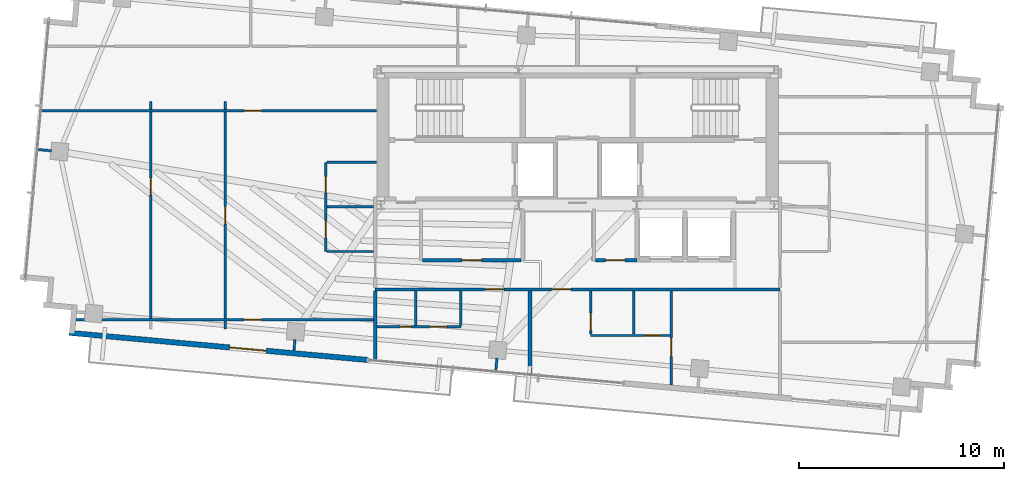
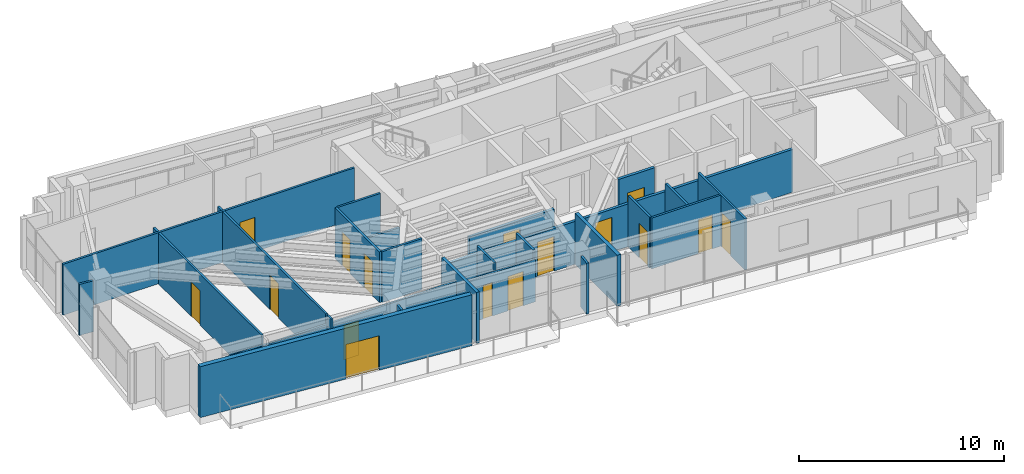
# One storey, part 16 of 22: 27 walls, 16 doors, 16 openings.
"""IFC4 building model written with IfcOpenShell, lengths in metres."""

import ifcopenshell
import ifcopenshell.guid

model = None  # the IFC model being written
_history = None  # IfcOwnerHistory: only IFC2X3 demands one
_inside = {}  # id of a spatial element -> (the spatial element, [elements in it])
_under = {}  # id of a project, library or spatial element -> (it, [spatial elements below it])
_declared = {}  # id of a project -> (the project, [libraries it declares])
_typed = {}  # id of a type object -> (the type object, [elements of that type])
_made_of = {}  # id of a material, layer set ... -> (it, [elements and type objects made of it])


def new_model(schema):
    """Start an empty IFC model of exactly this schema.

    Asked for "IFC4X3", IfcOpenShell would pick the latest addendum, in which some entities
    have other attributes; the version numbers below select the first issue.
    IFC2X3 requires an IfcOwnerHistory on every rooted entity: one is made here for all.
    """
    global model, _history
    if schema == "IFC4X3":
        model = ifcopenshell.file(schema_version=(4, 3, 0, 0))
    else:
        model = ifcopenshell.file(schema=schema)
    _inside.clear()
    _under.clear()
    _declared.clear()
    _typed.clear()
    _made_of.clear()
    _history = None
    if model.schema == "IFC2X3":
        org = make("IfcOrganization", Name="unknown")
        user = make(
            "IfcPersonAndOrganization",
            ThePerson=make("IfcPerson", FamilyName="unknown"),
            TheOrganization=org,
        )
        app = make(
            "IfcApplication",
            ApplicationDeveloper=org,
            Version="unknown",
            ApplicationFullName="unknown",
            ApplicationIdentifier="unknown",
        )
        _history = make(
            "IfcOwnerHistory",
            OwningUser=user,
            OwningApplication=app,
            ChangeAction="ADDED",
            CreationDate=0,
        )
    return model


def make(cls, **values):
    """One entity of the class cls with the attributes given. An attribute that is None is left unset."""
    return model.create_entity(
        cls, **{name: value for name, value in values.items() if value is not None}
    )


def rooted(cls, **values):
    """An entity with a GlobalId (a new one), such as an element, a storey or a relation."""
    return make(cls, GlobalId=ifcopenshell.guid.new(), OwnerHistory=_history, **values)


def si_unit(unit_type, name, prefix=None):
    """IfcSIUnit, for example si_unit("LENGTHUNIT", "METRE", prefix="MILLI")."""
    return make("IfcSIUnit", UnitType=unit_type, Prefix=prefix, Name=name)


def assignment(units):
    """IfcUnitAssignment: the units of a project."""
    return None if units is None else make("IfcUnitAssignment", Units=units)


def point(xyz):
    """IfcCartesianPoint."""
    return None if xyz is None else make("IfcCartesianPoint", Coordinates=xyz)


def direction(xyz):
    """IfcDirection."""
    return None if xyz is None else make("IfcDirection", DirectionRatios=xyz)


def frame(location, z_axis=None, x_axis=None):
    """IfcAxis2Placement3D, a coordinate frame: its origin and axes. An axis left out is left unset."""
    return make(
        "IfcAxis2Placement3D",
        Location=point(location),
        Axis=direction(z_axis),
        RefDirection=direction(x_axis),
    )


def frame_2d(location, x_axis=None):
    """IfcAxis2Placement2D, a coordinate frame in the plane: its origin and x axis."""
    return make(
        "IfcAxis2Placement2D", Location=point(location), RefDirection=direction(x_axis)
    )


def origin():
    """The frame at (0, 0, 0) with its axes left unset."""
    return frame((0.0, 0.0, 0.0))


def place(relative_to, where):
    """IfcLocalPlacement: puts the frame where relative to a parent placement (None: the world)."""
    return make(
        "IfcLocalPlacement", PlacementRelTo=relative_to, RelativePlacement=where
    )


def context(
    kind, dimensions, precision=None, world=None, true_north=None, identifier=None
):
    """IfcGeometricRepresentationContext, for example the 3D "Model" context."""
    return make(
        "IfcGeometricRepresentationContext",
        ContextIdentifier=identifier,
        ContextType=kind,
        CoordinateSpaceDimension=dimensions,
        Precision=precision,
        WorldCoordinateSystem=world,
        TrueNorth=true_north,
    )


def subcontext(parent, identifier, kind, view, scale=None):
    """IfcGeometricRepresentationSubContext, for example "Body" below "Model"."""
    return make(
        "IfcGeometricRepresentationSubContext",
        ContextIdentifier=identifier,
        ContextType=kind,
        ParentContext=parent,
        TargetScale=scale,
        TargetView=view,
    )


def project(units=None, contexts=None):
    """IfcProject with its units and contexts."""
    return rooted(
        "IfcProject",
        Name="project",
        RepresentationContexts=contexts,
        UnitsInContext=assignment(units),
    )


def spatial(cls, under=None, at=None, **own):
    """A site, building, storey or space (cls), placed at a placement, below another one or the project."""
    s = rooted(cls, ObjectPlacement=at, **own)
    if under is not None:
        _under.setdefault(under.id(), (under, []))[1].append(s)
    return s


def profile(cls, at=None, kind="AREA", **sizes):
    """A parametric profile (cls). Its sizes go by their IFC names, for example OverallWidth=200.0."""
    return make(cls, ProfileType=kind, Position=at, **sizes)


def rectangle(**sizes):
    """IfcRectangleProfileDef."""
    return profile("IfcRectangleProfileDef", **sizes)


def extrude(swept, where, along, depth):
    """IfcExtrudedAreaSolid: the profile swept, set in the frame where, extruded along a direction by depth."""
    return make(
        "IfcExtrudedAreaSolid",
        SweptArea=swept,
        Position=where,
        ExtrudedDirection=direction(along),
        Depth=depth,
    )


def shape(context_of_items, identifier, shape_type, items):
    """IfcShapeRepresentation: the items that make up one representation, for example the "Body"."""
    return make(
        "IfcShapeRepresentation",
        ContextOfItems=context_of_items,
        RepresentationIdentifier=identifier,
        RepresentationType=shape_type,
        Items=items,
    )


def source(mapping_origin, context_of_items, identifier, shape_type, items):
    """IfcRepresentationMap: a shape defined once, which mapped items show again and again."""
    return make(
        "IfcRepresentationMap",
        MappingOrigin=mapping_origin,
        MappedRepresentation=shape(context_of_items, identifier, shape_type, items),
    )


def transform(
    local_origin,
    x_axis=None,
    y_axis=None,
    z_axis=None,
    scale=None,
    scale2=None,
    scale3=None,
    uniform=True,
):
    """IfcCartesianTransformationOperator3D, or its non-uniform kind. x_axis, y_axis, z_axis: its Axis1, 2, 3."""
    if uniform:
        return make(
            "IfcCartesianTransformationOperator3D",
            Axis1=direction(x_axis),
            Axis2=direction(y_axis),
            LocalOrigin=point(local_origin),
            Scale=scale,
            Axis3=direction(z_axis),
        )
    return make(
        "IfcCartesianTransformationOperator3DnonUniform",
        Axis1=direction(x_axis),
        Axis2=direction(y_axis),
        LocalOrigin=point(local_origin),
        Scale=scale,
        Axis3=direction(z_axis),
        Scale2=scale2,
        Scale3=scale3,
    )


def mapped(mapping_source, mapping_target):
    """IfcMappedItem: shows the shape of a source again, moved by a transform."""
    return make(
        "IfcMappedItem", MappingSource=mapping_source, MappingTarget=mapping_target
    )


def material(Name=None, Category=None):
    """IfcMaterial."""
    return make("IfcMaterial", Name=Name, Category=Category)


def layer(
    of_material, thickness, ventilated=None, Name=None, Category=None, Priority=None
):
    """IfcMaterialLayer: one layer of a wall or slab, of a material (None: an air gap)."""
    return make(
        "IfcMaterialLayer",
        Material=of_material,
        LayerThickness=thickness,
        IsVentilated=ventilated,
        Name=Name,
        Category=Category,
        Priority=Priority,
    )


def layer_set(layers, Name=None):
    """IfcMaterialLayerSet."""
    return make("IfcMaterialLayerSet", MaterialLayers=layers, LayerSetName=Name)


def made_of(thing, what):
    """Note that an element or type object is made of a material, layer set ...; save() writes the relation."""
    if what is not None:
        _made_of.setdefault(what.id(), (what, []))[1].append(thing)
    return thing


def type_object(cls, material=None, **own):
    """A type object (cls), such as IfcWallType, which elements share."""
    return made_of(rooted(cls, **own), material)


def type_shapes(of_type, sources):
    """Give a type object the sources (RepresentationMaps) that its elements show as mapped items."""
    of_type.RepresentationMaps = sources


def element(
    cls,
    number,
    at=None,
    inside=None,
    cuts=None,
    type_object=None,
    material=None,
    context=None,
    identifier="Body",
    shape_type=None,
    held_by="IfcProductDefinitionShape",
    body=None,
    shapes=None,
    **own,
):
    """One element of the class cls, such as IfcWall. Its Tag is "e" and its number.

    at: its placement. inside: the storey or other place that contains it. cuts: it is an
    opening in that element (IfcRelVoidsElement). A single representation is given by context,
    identifier, shape_type and body (its items); several are given by shapes. held_by: the class
    of the entity that holds the representations. save() writes the other relations.
    """
    e = rooted(cls, Tag="e%d" % number, ObjectPlacement=at, **own)
    if body is not None:
        shapes = [shape(context, identifier, shape_type, body)]
    if shapes is not None:
        e.Representation = make(held_by, Representations=shapes)
    if inside is not None:
        _inside.setdefault(inside.id(), (inside, []))[1].append(e)
    if cuts is not None:
        rooted(
            "IfcRelVoidsElement", RelatingBuildingElement=cuts, RelatedOpeningElement=e
        )
    if type_object is not None:
        _typed.setdefault(type_object.id(), (type_object, []))[1].append(e)
    return made_of(e, material)


def fill(opening, filler):
    """IfcRelFillsElement: the door or window that sits in an opening."""
    return rooted(
        "IfcRelFillsElement",
        RelatingOpeningElement=opening,
        RelatedBuildingElement=filler,
    )


def aggregate(whole, parts):
    """IfcRelAggregates: a whole, such as a stair, and the parts it consists of."""
    return rooted("IfcRelAggregates", RelatingObject=whole, RelatedObjects=parts)


def save(model, path):
    """Write the relations noted so far, then the file.

    IfcRelAggregates (storeys below a building ...), IfcRelContainedInSpatialStructure (elements
    in a storey), IfcRelDefinesByType, IfcRelAssociatesMaterial and IfcRelDeclares: one each for
    every whole, place, type object, material and project.
    """
    for whole, parts in _under.values():
        aggregate(whole, parts)
    for where, things in _inside.values():
        rooted(
            "IfcRelContainedInSpatialStructure",
            RelatedElements=things,
            RelatingStructure=where,
        )
    for kind, things in _typed.values():
        rooted("IfcRelDefinesByType", RelatedObjects=things, RelatingType=kind)
    for what, things in _made_of.values():
        rooted("IfcRelAssociatesMaterial", RelatedObjects=things, RelatingMaterial=what)
    for by, libraries in _declared.values():
        rooted("IfcRelDeclares", RelatingContext=by, RelatedDefinitions=libraries)
    model.write(path)


model = new_model("IFC4")

# Units and contexts
model_context = context("Model", 3, precision=1e-05, world=origin(), true_north=direction((0.0, 1.0)))
body_context = subcontext(model_context, "Body", "Model", "MODEL_VIEW")
ifc_project = project(units=[si_unit("LENGTHUNIT", "METRE"), si_unit("AREAUNIT", "SQUARE_METRE"), si_unit("VOLUMEUNIT", "CUBIC_METRE"), si_unit("PLANEANGLEUNIT", "RADIAN"), si_unit("MASSUNIT", "GRAM", prefix="KILO")], contexts=[model_context])

# Site, building, storey
site_placement = place(None, origin())
site = spatial("IfcSite", under=ifc_project, at=site_placement, CompositionType="ELEMENT")
building_placement = place(site_placement, origin())
building = spatial("IfcBuilding", under=site, at=building_placement, Name="Astriad Promenade Condominiums", CompositionType="ELEMENT")
storey_placement = place(building_placement, frame((0.0, 0.0, 216.60009765625)))
storey = spatial("IfcBuildingStorey", under=building, at=storey_placement, Name="L62", CompositionType="ELEMENT", Elevation=216.60009765625)

# Wall, openings, doors
ifc_material_1 = material(Name="Fire-Rated Gypsum Partition")
ifc_layer_1 = layer(ifc_material_1, 0.159912109375)
ifc_layer_set_1 = layer_set([ifc_layer_1], Name="Fire-Rated Gypsum Partition")
wall_type_1 = type_object("IfcWallType", Name="WALL-CORR-160", PredefinedType="PARTITIONING", material=ifc_layer_set_1)
wall_1_placement = place(storey_placement, frame((26.1201171875, 13.280029296875, 0.0), z_axis=(0.0, 0.0, 1.0), x_axis=(1.0, 0.0, 0.0)))
wall_1 = element("IfcWall", 1, at=wall_1_placement, inside=storey, type_object=wall_type_1, Name="PT-COR-S-L62", PredefinedType="PARTITIONING", context=body_context, shape_type="SweptSolid", body=[
    extrude(rectangle(XDim=19.759765625, YDim=0.159912109375, at=frame_2d((9.8798828125, 0.0))), origin(), (0.0, 0.0, 1.0), 2.5498046875),
])
opening_1_placement = place(wall_1_placement, frame((5.344970703125, 0.0, 0.0)))
opening_1 = element("IfcOpeningElement", 2, at=opening_1_placement, cuts=wall_1, Name="Opening FD60-APT-095", PredefinedType="OPENING", context=body_context, shape_type="SweptSolid", body=[
    extrude(rectangle(XDim=0.949951171875, YDim=2.06005859375, at=frame_2d((0.47509765625, 1.030029296875))), frame((0.0, 0.08984375, 0.0), z_axis=(0.0, -1.0, 0.0), x_axis=(1.0, 0.0, 0.0)), (0.0, 0.0, 1.0), 0.179931640625),
])
opening_2_placement = place(wall_1_placement, frame((8.612060546875, 0.0, 0.0)))
opening_2 = element("IfcOpeningElement", 3, at=opening_2_placement, cuts=wall_1, Name="Opening FD60-APT-095", PredefinedType="OPENING", context=body_context, shape_type="SweptSolid", body=[
    extrude(rectangle(XDim=0.949951171875, YDim=2.06005859375, at=frame_2d((0.47509765625, 1.030029296875))), frame((0.0, 0.08984375, 0.0), z_axis=(0.0, -1.0, 0.0), x_axis=(1.0, 0.0, 0.0)), (0.0, 0.0, 1.0), 0.179931640625),
])
ifc_material_2 = material(Name="Solid-Core Acoustic Timber Residence Entry Door", Category="wood")
door_type_1 = type_object("IfcDoorType", Name="FD60-APT-095", OperationType="NOTDEFINED", PredefinedType="DOOR", material=ifc_material_2)
shared_shape_1 = source(origin(), body_context, "Body", "SweptSolid", [
    extrude(rectangle(XDim=0.949951171875, YDim=2.06005859375, at=frame_2d((0.47509765625, 1.030029296875))), frame((0.0, 0.02490234375, 0.0), z_axis=(0.0, -1.0, 0.0), x_axis=(1.0, 0.0, 0.0)), (0.0, 0.0, 1.0), 0.050048828125),
])
type_shapes(door_type_1, [shared_shape_1])
door_1_placement = place(opening_1_placement, origin())
door_1 = element("IfcDoor", 4, at=door_1_placement, inside=storey, type_object=door_type_1, Name="D-ENT-L62-S1", OperationType="SINGLE_SWING_LEFT", OverallHeight=2.06005859375, OverallWidth=0.949951171875, PredefinedType="DOOR", context=body_context, shape_type="MappedRepresentation", body=[
    mapped(shared_shape_1, transform((0.0, 0.0, 0.0), scale=1.0)),
])
fill(opening_1, door_1)
door_2_placement = place(opening_2_placement, origin())
door_2 = element("IfcDoor", 5, at=door_2_placement, inside=storey, type_object=door_type_1, Name="D-ENT-L62-S2", OperationType="SINGLE_SWING_RIGHT", OverallHeight=2.06005859375, OverallWidth=0.949951171875, PredefinedType="DOOR", context=body_context, shape_type="MappedRepresentation", body=[
    mapped(shared_shape_1, transform((0.0, 0.0, 0.0), scale=1.0)),
])
fill(opening_2, door_2)

# Wall
wall_2_placement = place(storey_placement, frame((26.1201171875, 9.75146484375, 0.0), z_axis=(0.0, 0.0, 1.0), x_axis=(0.0, 1.0, 0.0)))
element("IfcWall", 6, at=wall_2_placement, inside=storey, type_object=wall_type_1, Name="PT-COR-W-L62", PredefinedType="PARTITIONING", context=body_context, shape_type="SweptSolid", body=[
    extrude(rectangle(XDim=3.446533203125, YDim=0.159912109375, at=frame_2d((1.72314453125, 0.0))), origin(), (0.0, 0.0, 1.0), 3.039794921875),
])

# Wall, opening, door
wall_3_placement = place(storey_placement, frame((28.44189453125, 14.699951171875, 0.0), z_axis=(0.0, 0.0, 1.0), x_axis=(1.0, 0.0, 0.0)))
wall_3 = element("IfcWall", 7, at=wall_3_placement, inside=storey, type_object=wall_type_1, Name="PT-Z3REC-S-L62", PredefinedType="PARTITIONING", context=body_context, shape_type="SweptSolid", body=[
    extrude(rectangle(XDim=4.796142578125, YDim=0.159912109375, at=frame_2d((2.39794921875, 0.0))), origin(), (0.0, 0.0, 1.0), 2.5498046875),
])
opening_3_placement = place(wall_3_placement, frame((1.923095703125, 0.0, 0.0)))
opening_3 = element("IfcOpeningElement", 8, at=opening_3_placement, cuts=wall_3, Name="Opening FD60-APT-095", PredefinedType="OPENING", context=body_context, shape_type="SweptSolid", body=[
    extrude(rectangle(XDim=0.949951171875, YDim=2.06005859375, at=frame_2d((0.47509765625, 1.030029296875))), frame((0.0, 0.08984375, 0.0), z_axis=(0.0, -1.0, 0.0), x_axis=(1.0, 0.0, 0.0)), (0.0, 0.0, 1.0), 0.179931640625),
])
door_3_placement = place(opening_3_placement, origin())
door_3 = element("IfcDoor", 9, at=door_3_placement, inside=storey, type_object=door_type_1, Name="D-Z3R-L62", OperationType="SINGLE_SWING_LEFT", OverallHeight=2.06005859375, OverallWidth=0.949951171875, PredefinedType="DOOR", context=body_context, shape_type="MappedRepresentation", body=[
    mapped(shared_shape_1, transform((0.0, 0.0, 0.0), scale=1.0)),
])
fill(opening_3, door_3)

wall_4_placement = place(storey_placement, frame((36.882080078125, 14.699951171875, 0.0), z_axis=(0.0, 0.0, 1.0), x_axis=(1.0, 0.0, 0.0)))
wall_4 = element("IfcWall", 10, at=wall_4_placement, inside=storey, type_object=wall_type_1, Name="PT-Z3R2-S-L62", PredefinedType="PARTITIONING", context=body_context, shape_type="SweptSolid", body=[
    extrude(rectangle(XDim=2.017822265625, YDim=0.159912109375, at=frame_2d((1.0087890625, 0.0))), origin(), (0.0, 0.0, 1.0), 3.039794921875),
])
opening_4_placement = place(wall_4_placement, frame((0.48291015625, 0.0, 0.0)))
opening_4 = element("IfcOpeningElement", 11, at=opening_4_placement, cuts=wall_4, Name="Opening FD60-APT-095", PredefinedType="OPENING", context=body_context, shape_type="SweptSolid", body=[
    extrude(rectangle(XDim=0.949951171875, YDim=2.06005859375, at=frame_2d((0.47509765625, 1.030029296875))), frame((0.0, 0.08984375, 0.0), z_axis=(0.0, -1.0, 0.0), x_axis=(1.0, 0.0, 0.0)), (0.0, 0.0, 1.0), 0.179931640625),
])
door_4_placement = place(opening_4_placement, origin())
door_4 = element("IfcDoor", 12, at=door_4_placement, inside=storey, type_object=door_type_1, Name="D-Z3N-L62", OperationType="SINGLE_SWING_RIGHT", OverallHeight=2.06005859375, OverallWidth=0.949951171875, PredefinedType="DOOR", context=body_context, shape_type="MappedRepresentation", body=[
    mapped(shared_shape_1, transform((0.0, 0.0, 0.0), scale=1.0)),
])
fill(opening_4, door_4)

# Wall
ifc_material_3 = material(Name="Acoustic Double-Stud Gypsum Partition")
ifc_layer_2 = layer(ifc_material_3, 0.199951171875)
ifc_layer_set_2 = layer_set([ifc_layer_2], Name="Acoustic Double-Stud Gypsum Partition")
wall_type_2 = type_object("IfcWallType", Name="WALL-DEMISING-200", PredefinedType="PARTITIONING", material=ifc_layer_set_2)
wall_5_placement = place(storey_placement, frame((33.678955078125, 9.0634765625, 0.0), z_axis=(0.0, 0.0, 1.0), x_axis=(0.0, 1.0, 0.0)))
element("IfcWall", 13, at=wall_5_placement, inside=storey, type_object=wall_type_2, Name="PT-DEM-S1-L62", PredefinedType="PARTITIONING", context=body_context, shape_type="SweptSolid", body=[
    extrude(rectangle(XDim=4.134521484375, YDim=0.199951171875, at=frame_2d((2.0673828125, 0.0))), origin(), (0.0, 0.0, 1.0), 3.039794921875),
])

# Wall, opening, door
ifc_material_4 = material(Name="Precast concrete C50/60", Category="concrete")
ifc_layer_3 = layer(ifc_material_4, 0.260009765625)
ifc_layer_set_3 = layer_set([ifc_layer_3], Name="Precast concrete C50/60")
wall_type_3 = type_object("IfcWallType", Name="WALL-EXT-TWR-260", PredefinedType="STANDARD", material=ifc_layer_set_3)
wall_6_placement = place(storey_placement, frame((25.760986328125, 9.83447265625, 0.0), z_axis=(0.0, 0.0, 1.0), x_axis=(-0.995884584572, 0.090630536861, 0.0)))
wall_6 = element("IfcWall", 14, at=wall_6_placement, inside=storey, type_object=wall_type_3, Name="W-EXT-L62-S2", PredefinedType="STANDARD", context=body_context, shape_type="SweptSolid", body=[
    extrude(rectangle(XDim=14.630126953125, YDim=0.260009765625, at=frame_2d((7.31494140625, 0.0))), origin(), (0.0, 0.0, 1.0), 3.039794921875),
])
opening_5_placement = place(wall_6_placement, frame((4.969970703125, 0.0, 0.0)))
opening_5 = element("IfcOpeningElement", 15, at=opening_5_placement, cuts=wall_6, Name="Opening BD-1822-SLD", PredefinedType="OPENING", context=body_context, shape_type="SweptSolid", body=[
    extrude(rectangle(XDim=1.800048828125, YDim=2.06005859375, at=frame_2d((0.89990234375, 1.030029296875))), frame((0.0, 0.139892578125, 0.0), z_axis=(0.0, -1.0, 0.0), x_axis=(1.0, 0.0, 0.0)), (0.0, 0.0, 1.0), 0.280029296875),
])
ifc_material_5 = material(Name="Thermally Broken Aluminium Sliding Balcony Door", Category="aluminium")
door_type_2 = type_object("IfcDoorType", Name="BD-1822-SLD", OperationType="NOTDEFINED", PredefinedType="DOOR", material=ifc_material_5)
shared_shape_2 = source(origin(), body_context, "Body", "SweptSolid", [
    extrude(rectangle(XDim=1.800048828125, YDim=2.06005859375, at=frame_2d((0.89990234375, 1.030029296875))), frame((0.0, 0.02490234375, 0.0), z_axis=(0.0, -1.0, 0.0), x_axis=(1.0, 0.0, 0.0)), (0.0, 0.0, 1.0), 0.050048828125),
])
type_shapes(door_type_2, [shared_shape_2])
door_5_placement = place(opening_5_placement, origin())
door_5 = element("IfcDoor", 16, at=door_5_placement, inside=storey, type_object=door_type_2, Name="BD-L62-SW", OperationType="SLIDING_TO_LEFT", OverallHeight=2.06005859375, OverallWidth=1.800048828125, PredefinedType="DOOR", context=body_context, shape_type="MappedRepresentation", body=[
    mapped(shared_shape_2, transform((0.0, 0.0, 0.0), scale=1.0)),
])
fill(opening_5, door_5)

# Wall, openings, doors
ifc_material_6 = material(Name="Acoustic Metal-Stud Gypsum Partition")
ifc_layer_4 = layer(ifc_material_6, 0.1201171875)
ifc_layer_set_4 = layer_set([ifc_layer_4], Name="Acoustic Metal-Stud Gypsum Partition")
wall_type_4 = type_object("IfcWallType", Name="WALL-PART-120", PredefinedType="PARTITIONING", material=ifc_layer_set_4)
wall_7_placement = place(storey_placement, frame((26.201904296875, 11.455078125, 0.0), z_axis=(0.0, 0.0, 1.0), x_axis=(1.0, 0.0, 0.0)))
wall_7 = element("IfcWall", 17, at=wall_7_placement, inside=storey, type_object=wall_type_4, Name="PT-L62-S1-PS", PredefinedType="PARTITIONING", context=body_context, shape_type="SweptSolid", body=[
    extrude(rectangle(XDim=4.09814453125, YDim=0.1201171875, at=frame_2d((2.049072265625, 0.0))), origin(), (0.0, 0.0, 1.0), 2.5498046875),
])
opening_6_placement = place(wall_7_placement, frame((1.139892578125, 0.0, 0.0)))
opening_6 = element("IfcOpeningElement", 18, at=opening_6_placement, cuts=wall_7, Name="Opening D-AC-055", PredefinedType="OPENING", context=body_context, shape_type="SweptSolid", body=[
    extrude(rectangle(XDim=0.550048828125, YDim=2.0, at=frame_2d((0.27490234375, 1.0))), frame((0.0, 0.070068359375, 0.0), z_axis=(0.0, -1.0, 0.0), x_axis=(1.0, 0.0, 0.0)), (0.0, 0.0, 1.0), 0.14013671875),
])
opening_7_placement = place(wall_7_placement, frame((2.572998046875, 0.0, 0.0)))
opening_7 = element("IfcOpeningElement", 19, at=opening_7_placement, cuts=wall_7, Name="Opening D-INT-085", PredefinedType="OPENING", context=body_context, shape_type="SweptSolid", body=[
    extrude(rectangle(XDim=0.85009765625, YDim=2.050048828125, at=frame_2d((0.425048828125, 1.02490234375))), frame((0.0, 0.070068359375, 0.0), z_axis=(0.0, -1.0, 0.0), x_axis=(1.0, 0.0, 0.0)), (0.0, 0.0, 1.0), 0.14013671875),
])
ifc_material_7 = material(Name="Painted Solid-Core Timber Room Door", Category="wood")
door_type_3 = type_object("IfcDoorType", Name="D-INT-085", OperationType="NOTDEFINED", PredefinedType="DOOR", material=ifc_material_7)
shared_shape_3 = source(origin(), body_context, "Body", "SweptSolid", [
    extrude(rectangle(XDim=0.85009765625, YDim=2.050048828125, at=frame_2d((0.425048828125, 1.02490234375))), frame((0.0, 0.02490234375, 0.0), z_axis=(0.0, -1.0, 0.0), x_axis=(1.0, 0.0, 0.0)), (0.0, 0.0, 1.0), 0.050048828125),
])
type_shapes(door_type_3, [shared_shape_3])
door_6_placement = place(opening_7_placement, origin())
door_6 = element("IfcDoor", 20, at=door_6_placement, inside=storey, type_object=door_type_3, Name="D-KIT-L62-S1", OperationType="SINGLE_SWING_LEFT", OverallHeight=2.050048828125, OverallWidth=0.85009765625, PredefinedType="DOOR", context=body_context, shape_type="MappedRepresentation", body=[
    mapped(shared_shape_3, transform((0.0, 0.0, 0.0), scale=1.0)),
])
fill(opening_7, door_6)
ifc_material_8 = material(Name="Painted Timber Access Door", Category="wood")
door_type_4 = type_object("IfcDoorType", Name="D-AC-055", OperationType="NOTDEFINED", PredefinedType="DOOR", material=ifc_material_8)
shared_shape_4 = source(origin(), body_context, "Body", "SweptSolid", [
    extrude(rectangle(XDim=0.550048828125, YDim=2.0, at=frame_2d((0.27490234375, 1.0))), frame((0.0, 0.02490234375, 0.0), z_axis=(0.0, -1.0, 0.0), x_axis=(1.0, 0.0, 0.0)), (0.0, 0.0, 1.0), 0.050048828125),
])
type_shapes(door_type_4, [shared_shape_4])
door_7_placement = place(opening_6_placement, origin())
door_7 = element("IfcDoor", 21, at=door_7_placement, inside=storey, type_object=door_type_4, Name="D-BTH-L62-S1", OperationType="SINGLE_SWING_RIGHT", OverallHeight=2.0, OverallWidth=0.550048828125, PredefinedType="DOOR", context=body_context, shape_type="MappedRepresentation", body=[
    mapped(shared_shape_4, transform((0.0, 0.0, 0.0), scale=1.0)),
])
fill(opening_6, door_7)

# Walls
for number, where, z_axis, x_axis, name in (
    (22, (30.300048828125, 11.51708984375, 0.0), (0.0, 0.0, 1.0), (0.0, 1.0, 0.0), "PT-L62-S1-PK"),
    (23, (28.10009765625, 11.51708984375, 0.0), (0.0, 0.0, 1.0), (0.0, 1.0, 0.0), "PT-L62-S1-PB"),
):
    element("IfcWall", number, at=place(storey_placement, frame(where, z_axis=z_axis, x_axis=x_axis)), inside=storey, type_object=wall_type_4, Name=name, PredefinedType="PARTITIONING", context=body_context, shape_type="SweptSolid", body=[
        extrude(rectangle(XDim=1.680908203125, YDim=0.1201171875, at=frame_2d((0.84033203125, 0.0))), origin(), (0.0, 0.0, 1.0), 3.039794921875),
    ])

# Wall, opening, door
wall_8_placement = place(storey_placement, frame((40.583984375, 8.617919921875, 0.0), z_axis=(0.0, 0.0, 1.0), x_axis=(0.0, 1.0, 0.0)))
wall_8 = element("IfcWall", 24, at=wall_8_placement, inside=storey, type_object=wall_type_4, Name="PT-L62-S2-BD1", PredefinedType="PARTITIONING", context=body_context, shape_type="SweptSolid", body=[
    extrude(rectangle(XDim=4.580078125, YDim=0.1201171875, at=frame_2d((2.2900390625, 0.0))), origin(), (0.0, 0.0, 1.0), 3.039794921875),
])
opening_8_placement = place(wall_8_placement, frame((1.3798828125, 0.0, 0.0)))
opening_8 = element("IfcOpeningElement", 25, at=opening_8_placement, cuts=wall_8, Name="Opening D-INT-090", PredefinedType="OPENING", context=body_context, shape_type="SweptSolid", body=[
    extrude(rectangle(XDim=0.89990234375, YDim=2.050048828125, at=frame_2d((0.449951171875, 1.02490234375))), frame((0.0, 0.070068359375, 0.0), z_axis=(0.0, -1.0, 0.0), x_axis=(1.0, 0.0, 0.0)), (0.0, 0.0, 1.0), 0.14013671875),
])
ifc_material_9 = material(Name="Painted Solid-Core Timber Bedroom Door", Category="wood")
door_type_5 = type_object("IfcDoorType", Name="D-INT-090", OperationType="NOTDEFINED", PredefinedType="DOOR", material=ifc_material_9)
shared_shape_5 = source(origin(), body_context, "Body", "SweptSolid", [
    extrude(rectangle(XDim=0.89990234375, YDim=2.050048828125, at=frame_2d((0.449951171875, 1.02490234375))), frame((0.0, 0.02490234375, 0.0), z_axis=(0.0, -1.0, 0.0), x_axis=(1.0, 0.0, 0.0)), (0.0, 0.0, 1.0), 0.050048828125),
])
type_shapes(door_type_5, [shared_shape_5])
door_8_placement = place(opening_8_placement, origin())
door_8 = element("IfcDoor", 26, at=door_8_placement, inside=storey, type_object=door_type_5, Name="D-BD1-L62-S2", OperationType="SINGLE_SWING_LEFT", OverallHeight=2.050048828125, OverallWidth=0.89990234375, PredefinedType="DOOR", context=body_context, shape_type="MappedRepresentation", body=[
    mapped(shared_shape_5, transform((0.0, 0.0, 0.0), scale=1.0)),
])
fill(opening_8, door_8)

wall_9_placement = place(storey_placement, frame((36.634033203125, 11.030029296875, 0.0), z_axis=(0.0, 0.0, 1.0), x_axis=(1.0, 0.0, 0.0)))
wall_9 = element("IfcWall", 27, at=wall_9_placement, inside=storey, type_object=wall_type_4, Name="PT-L62-S2-PS", PredefinedType="PARTITIONING", context=body_context, shape_type="SweptSolid", body=[
    extrude(rectangle(XDim=3.887939453125, YDim=0.1201171875, at=frame_2d((1.94384765625, 0.0))), origin(), (0.0, 0.0, 1.0), 3.039794921875),
])
opening_9_placement = place(wall_9_placement, frame((2.625, 0.0, 0.0)))
opening_9 = element("IfcOpeningElement", 28, at=opening_9_placement, cuts=wall_9, Name="Opening D-WET-080", PredefinedType="OPENING", context=body_context, shape_type="SweptSolid", body=[
    extrude(rectangle(XDim=0.800048828125, YDim=2.02001953125, at=frame_2d((0.39990234375, 1.010009765625))), frame((0.0, 0.070068359375, 0.0), z_axis=(0.0, -1.0, 0.0), x_axis=(1.0, 0.0, 0.0)), (0.0, 0.0, 1.0), 0.14013671875),
])
ifc_material_10 = material(Name="Moisture-Resistant Timber Bathroom Door", Category="wood")
door_type_6 = type_object("IfcDoorType", Name="D-WET-080", OperationType="NOTDEFINED", PredefinedType="DOOR", material=ifc_material_10)
shared_shape_6 = source(origin(), body_context, "Body", "SweptSolid", [
    extrude(rectangle(XDim=0.800048828125, YDim=2.02001953125, at=frame_2d((0.39990234375, 1.010009765625))), frame((0.0, 0.02490234375, 0.0), z_axis=(0.0, -1.0, 0.0), x_axis=(1.0, 0.0, 0.0)), (0.0, 0.0, 1.0), 0.050048828125),
])
type_shapes(door_type_6, [shared_shape_6])
door_9_placement = place(opening_9_placement, origin())
door_9 = element("IfcDoor", 29, at=door_9_placement, inside=storey, type_object=door_type_6, Name="D-BTH-L62-S2", OperationType="SINGLE_SWING_LEFT", OverallHeight=2.02001953125, OverallWidth=0.800048828125, PredefinedType="DOOR", context=body_context, shape_type="MappedRepresentation", body=[
    mapped(shared_shape_6, transform((0.0, 0.0, 0.0), scale=1.0)),
])
fill(opening_9, door_9)

# Wall
wall_10_placement = place(storey_placement, frame((38.73388671875, 11.092041015625, 0.0), z_axis=(0.0, 0.0, 1.0), x_axis=(0.0, 1.0, 0.0)))
element("IfcWall", 30, at=wall_10_placement, inside=storey, type_object=wall_type_4, Name="PT-L62-S2-PBK", PredefinedType="PARTITIONING", context=body_context, shape_type="SweptSolid", body=[
    extrude(rectangle(XDim=2.10595703125, YDim=0.1201171875, at=frame_2d((1.052978515625, 0.0))), origin(), (0.0, 0.0, 1.0), 3.039794921875),
])

# Wall, opening, door
wall_11_placement = place(storey_placement, frame((36.634033203125, 11.092041015625, 0.0), z_axis=(0.0, 0.0, 1.0), x_axis=(0.0, 1.0, 0.0)))
wall_11 = element("IfcWall", 31, at=wall_11_placement, inside=storey, type_object=wall_type_4, Name="PT-L62-S2-PKW", PredefinedType="PARTITIONING", context=body_context, shape_type="SweptSolid", body=[
    extrude(rectangle(XDim=2.10595703125, YDim=0.1201171875, at=frame_2d((1.052978515625, 0.0))), origin(), (0.0, 0.0, 1.0), 3.039794921875),
])
opening_10_placement = place(wall_11_placement, frame((0.179931640625, 0.0, 0.0)))
opening_10 = element("IfcOpeningElement", 32, at=opening_10_placement, cuts=wall_11, Name="Opening D-INT-085", PredefinedType="OPENING", context=body_context, shape_type="SweptSolid", body=[
    extrude(rectangle(XDim=0.85009765625, YDim=2.050048828125, at=frame_2d((0.425048828125, 1.02490234375))), frame((0.0, 0.070068359375, 0.0), z_axis=(0.0, -1.0, 0.0), x_axis=(1.0, 0.0, 0.0)), (0.0, 0.0, 1.0), 0.14013671875),
])
door_10_placement = place(opening_10_placement, origin())
door_10 = element("IfcDoor", 33, at=door_10_placement, inside=storey, type_object=door_type_3, Name="D-KIT-L62-S2", OperationType="SINGLE_SWING_RIGHT", OverallHeight=2.050048828125, OverallWidth=0.85009765625, PredefinedType="DOOR", context=body_context, shape_type="MappedRepresentation", body=[
    mapped(shared_shape_3, transform((0.0, 0.0, 0.0), scale=1.0)),
])
fill(opening_10, door_10)

# Wall, openings, doors
wall_12_placement = place(storey_placement, frame((23.719970703125, 15.1298828125, 0.0), z_axis=(0.0, 0.0, 1.0), x_axis=(0.0, 1.0, 0.0)))
wall_12 = element("IfcWall", 34, at=wall_12_placement, inside=storey, type_object=wall_type_4, Name="PT-L62-W1-PV", PredefinedType="PARTITIONING", context=body_context, shape_type="SweptSolid", body=[
    extrude(rectangle(XDim=4.35009765625, YDim=0.1201171875, at=frame_2d((2.175048828125, 0.0))), origin(), (0.0, 0.0, 1.0), 3.039794921875),
])
opening_11_placement = place(wall_12_placement, frame((0.6630859375, 0.0, 0.0)))
opening_11 = element("IfcOpeningElement", 35, at=opening_11_placement, cuts=wall_12, Name="Opening D-INT-085", PredefinedType="OPENING", context=body_context, shape_type="SweptSolid", body=[
    extrude(rectangle(XDim=0.85009765625, YDim=2.050048828125, at=frame_2d((0.425048828125, 1.02490234375))), frame((0.0, 0.070068359375, 0.0), z_axis=(0.0, -1.0, 0.0), x_axis=(1.0, 0.0, 0.0)), (0.0, 0.0, 1.0), 0.14013671875),
])
opening_12_placement = place(wall_12_placement, frame((2.862060546875, 0.0, 0.0)))
opening_12 = element("IfcOpeningElement", 36, at=opening_12_placement, cuts=wall_12, Name="Opening D-WET-080", PredefinedType="OPENING", context=body_context, shape_type="SweptSolid", body=[
    extrude(rectangle(XDim=0.800048828125, YDim=2.02001953125, at=frame_2d((0.39990234375, 1.010009765625))), frame((0.0, 0.070068359375, 0.0), z_axis=(0.0, -1.0, 0.0), x_axis=(1.0, 0.0, 0.0)), (0.0, 0.0, 1.0), 0.14013671875),
])
door_11_placement = place(opening_12_placement, origin())
door_11 = element("IfcDoor", 37, at=door_11_placement, inside=storey, type_object=door_type_6, Name="D-BTH-L62-W1", OperationType="SINGLE_SWING_RIGHT", OverallHeight=2.02001953125, OverallWidth=0.800048828125, PredefinedType="DOOR", context=body_context, shape_type="MappedRepresentation", body=[
    mapped(shared_shape_6, transform((0.0, 0.0, 0.0), scale=1.0)),
])
fill(opening_12, door_11)
door_12_placement = place(opening_11_placement, origin())
door_12 = element("IfcDoor", 38, at=door_12_placement, inside=storey, type_object=door_type_3, Name="D-KIT-L62-W1", OperationType="SINGLE_SWING_LEFT", OverallHeight=2.050048828125, OverallWidth=0.85009765625, PredefinedType="DOOR", context=body_context, shape_type="MappedRepresentation", body=[
    mapped(shared_shape_3, transform((0.0, 0.0, 0.0), scale=1.0)),
])
fill(opening_11, door_12)

# Walls
wall_13_placement = place(storey_placement, frame((23.781982421875, 17.304931640625, 0.0), z_axis=(0.0, 0.0, 1.0), x_axis=(1.0, 0.0, 0.0)))
element("IfcWall", 39, at=wall_13_placement, inside=storey, type_object=wall_type_4, Name="PT-L62-W1-PM", PredefinedType="PARTITIONING", context=body_context, shape_type="SweptSolid", body=[
    extrude(rectangle(XDim=2.256103515625, YDim=0.1201171875, at=frame_2d((1.1279296875, 0.0))), origin(), (0.0, 0.0, 1.0), 2.38134765625),
])
wall_14_placement = place(storey_placement, frame((23.781982421875, 15.1298828125, 0.0), z_axis=(0.0, 0.0, 1.0), x_axis=(1.0, 0.0, 0.0)))
element("IfcWall", 40, at=wall_14_placement, inside=storey, type_object=wall_type_4, Name="PT-L62-W1-PS", PredefinedType="PARTITIONING", context=body_context, shape_type="SweptSolid", body=[
    extrude(rectangle(XDim=2.256103515625, YDim=0.1201171875, at=frame_2d((1.1279296875, 0.0))), origin(), (0.0, 0.0, 1.0), 3.039794921875),
])
wall_15_placement = place(storey_placement, frame((23.781982421875, 19.47998046875, 0.0), z_axis=(0.0, 0.0, 1.0), x_axis=(1.0, 0.0, 0.0)))
element("IfcWall", 41, at=wall_15_placement, inside=storey, type_object=wall_type_4, Name="PT-L62-W1-PN", PredefinedType="PARTITIONING", context=body_context, shape_type="SweptSolid", body=[
    extrude(rectangle(XDim=2.416015625, YDim=0.1201171875, at=frame_2d((1.2080078125, 0.0))), origin(), (0.0, 0.0, 1.0), 3.039794921875),
])

# Wall, opening, door
wall_16_placement = place(storey_placement, frame((9.747802734375, 22.0009765625, 0.0), z_axis=(0.0, 0.0, 1.0), x_axis=(1.0, 0.0, 0.0)))
wall_16 = element("IfcWall", 42, at=wall_16_placement, inside=storey, type_object=wall_type_4, Name="PT-L62-W1-WDN1", PredefinedType="PARTITIONING", context=body_context, shape_type="SweptSolid", body=[
    extrude(rectangle(XDim=16.4501953125, YDim=0.1201171875, at=frame_2d((8.22509765625, 0.0))), origin(), (0.0, 0.0, 1.0), 3.039794921875),
])
opening_13_placement = place(wall_16_placement, frame((9.97412109375, 0.0, 0.0)))
opening_13 = element("IfcOpeningElement", 43, at=opening_13_placement, cuts=wall_16, Name="Opening D-INT-085", PredefinedType="OPENING", context=body_context, shape_type="SweptSolid", body=[
    extrude(rectangle(XDim=0.85009765625, YDim=2.050048828125, at=frame_2d((0.425048828125, 1.02490234375))), frame((0.0, 0.070068359375, 0.0), z_axis=(0.0, -1.0, 0.0), x_axis=(1.0, 0.0, 0.0)), (0.0, 0.0, 1.0), 0.14013671875),
])
door_13_placement = place(opening_13_placement, origin())
door_13 = element("IfcDoor", 44, at=door_13_placement, inside=storey, type_object=door_type_3, Name="D-WDN1-L62-W1", OperationType="SINGLE_SWING_RIGHT", OverallHeight=2.050048828125, OverallWidth=0.85009765625, PredefinedType="DOOR", context=body_context, shape_type="MappedRepresentation", body=[
    mapped(shared_shape_3, transform((0.0, 0.0, 0.0), scale=1.0)),
])
fill(opening_13, door_13)

wall_17_placement = place(storey_placement, frame((11.51220703125, 11.7958984375, 0.0), z_axis=(0.0, 0.0, 1.0), x_axis=(1.0, 0.0, 0.0)))
wall_17 = element("IfcWall", 45, at=wall_17_placement, inside=storey, type_object=wall_type_4, Name="PT-L62-W1-WDS2", PredefinedType="PARTITIONING", context=body_context, shape_type="SweptSolid", body=[
    extrude(rectangle(XDim=14.52587890625, YDim=0.1201171875, at=frame_2d((7.262939453125, 0.0))), origin(), (0.0, 0.0, 1.0), 2.482421875),
])
opening_14_placement = place(wall_17_placement, frame((8.209716796875, 0.0, 0.0)))
opening_14 = element("IfcOpeningElement", 46, at=opening_14_placement, cuts=wall_17, Name="Opening D-INT-085", PredefinedType="OPENING", context=body_context, shape_type="SweptSolid", body=[
    extrude(rectangle(XDim=0.85009765625, YDim=2.050048828125, at=frame_2d((0.425048828125, 1.02490234375))), frame((0.0, 0.070068359375, 0.0), z_axis=(0.0, -1.0, 0.0), x_axis=(1.0, 0.0, 0.0)), (0.0, 0.0, 1.0), 0.14013671875),
])
door_14_placement = place(opening_14_placement, origin())
door_14 = element("IfcDoor", 47, at=door_14_placement, inside=storey, type_object=door_type_3, Name="D-WDS2-L62-W1", OperationType="SINGLE_SWING_LEFT", OverallHeight=2.050048828125, OverallWidth=0.85009765625, PredefinedType="DOOR", context=body_context, shape_type="MappedRepresentation", body=[
    mapped(shared_shape_3, transform((0.0, 0.0, 0.0), scale=1.0)),
])
fill(opening_14, door_14)

wall_18_placement = place(storey_placement, frame((15.172119140625, 11.85791015625, 0.0), z_axis=(0.0, 0.0, 1.0), x_axis=(0.0, 1.0, 0.0)))
wall_18 = element("IfcWall", 48, at=wall_18_placement, inside=storey, type_object=wall_type_4, Name="PT-L62-W1-WDV3-S2", PredefinedType="PARTITIONING", context=body_context, shape_type="SweptSolid", body=[
    extrude(rectangle(XDim=10.0810546875, YDim=0.1201171875, at=frame_2d((5.04052734375, 0.0))), origin(), (0.0, 0.0, 1.0), 3.039794921875),
])
opening_15_placement = place(wall_18_placement, frame((6.02001953125, 0.0, 0.0)))
opening_15 = element("IfcOpeningElement", 49, at=opening_15_placement, cuts=wall_18, Name="Opening D-INT-085", PredefinedType="OPENING", context=body_context, shape_type="SweptSolid", body=[
    extrude(rectangle(XDim=0.85009765625, YDim=2.050048828125, at=frame_2d((0.425048828125, 1.02490234375))), frame((0.0, 0.070068359375, 0.0), z_axis=(0.0, -1.0, 0.0), x_axis=(1.0, 0.0, 0.0)), (0.0, 0.0, 1.0), 0.14013671875),
])
door_15_placement = place(opening_15_placement, origin())
door_15 = element("IfcDoor", 50, at=door_15_placement, inside=storey, type_object=door_type_3, Name="D-WDV3-L62-W1", OperationType="SINGLE_SWING_RIGHT", OverallHeight=2.050048828125, OverallWidth=0.85009765625, PredefinedType="DOOR", context=body_context, shape_type="MappedRepresentation", body=[
    mapped(shared_shape_3, transform((0.0, 0.0, 0.0), scale=1.0)),
])
fill(opening_15, door_15)

# Walls
for number, where, z_axis, x_axis, name in (
    (51, (15.172119140625, 22.06298828125, 0.0), (0.0, 0.0, 1.0), (0.0, 1.0, 0.0), "PT-L62-W1-WDV3-S3"),
    (52, (18.797119140625, 11.35595703125, 0.0), (0.0, 0.0, 1.0), (0.0, 1.0, 0.0), "PT-L62-W1-WDV4"),
):
    element("IfcWall", number, at=place(storey_placement, frame(where, z_axis=z_axis, x_axis=x_axis)), inside=storey, type_object=wall_type_4, Name=name, PredefinedType="PARTITIONING", context=body_context, shape_type="SweptSolid", body=[
        extrude(rectangle(XDim=0.3779296875, YDim=0.1201171875, at=frame_2d((0.18896484375, 0.0))), origin(), (0.0, 0.0, 1.0), 3.039794921875),
    ])

# Wall, opening, door
wall_19_placement = place(storey_placement, frame((18.797119140625, 11.85791015625, 0.0), z_axis=(0.0, 0.0, 1.0), x_axis=(0.0, 1.0, 0.0)))
wall_19 = element("IfcWall", 53, at=wall_19_placement, inside=storey, type_object=wall_type_4, Name="PT-L62-W1-WDV4-S2", PredefinedType="PARTITIONING", context=body_context, shape_type="SweptSolid", body=[
    extrude(rectangle(XDim=10.0810546875, YDim=0.1201171875, at=frame_2d((5.04052734375, 0.0))), origin(), (0.0, 0.0, 1.0), 3.039794921875),
])
opening_16_placement = place(wall_19_placement, frame((4.614990234375, 0.0, 0.0)))
opening_16 = element("IfcOpeningElement", 54, at=opening_16_placement, cuts=wall_19, Name="Opening D-INT-085", PredefinedType="OPENING", context=body_context, shape_type="SweptSolid", body=[
    extrude(rectangle(XDim=0.85009765625, YDim=2.050048828125, at=frame_2d((0.425048828125, 1.02490234375))), frame((0.0, 0.070068359375, 0.0), z_axis=(0.0, -1.0, 0.0), x_axis=(1.0, 0.0, 0.0)), (0.0, 0.0, 1.0), 0.14013671875),
])
door_16_placement = place(opening_16_placement, origin())
door_16 = element("IfcDoor", 55, at=door_16_placement, inside=storey, type_object=door_type_3, Name="D-WDV4-L62-W1", OperationType="SINGLE_SWING_LEFT", OverallHeight=2.050048828125, OverallWidth=0.85009765625, PredefinedType="DOOR", context=body_context, shape_type="MappedRepresentation", body=[
    mapped(shared_shape_3, transform((0.0, 0.0, 0.0), scale=1.0)),
])
fill(opening_16, door_16)

# Walls
wall_20_placement = place(storey_placement, frame((18.797119140625, 22.06298828125, 0.0), z_axis=(0.0, 0.0, 1.0), x_axis=(0.0, 1.0, 0.0)))
element("IfcWall", 56, at=wall_20_placement, inside=storey, type_object=wall_type_4, Name="PT-L62-W1-WDV4-S3", PredefinedType="PARTITIONING", context=body_context, shape_type="SweptSolid", body=[
    extrude(rectangle(XDim=0.3779296875, YDim=0.1201171875, at=frame_2d((0.18896484375, 0.0))), origin(), (0.0, 0.0, 1.0), 3.039794921875),
])
wall_21_placement = place(storey_placement, frame((22.206787109375, 10.83056640625, 0.0), z_axis=(0.0, 0.0, 1.0), x_axis=(-0.090781299264, -0.995870852924, 0.0)))
element("IfcWall", 57, at=wall_21_placement, inside=storey, type_object=wall_type_4, Name="PT-PIL-L62-PC02-9", PredefinedType="PARTITIONING", context=body_context, shape_type="SweptSolid", body=[
    extrude(rectangle(XDim=0.537841796875, YDim=0.1201171875, at=frame_2d((0.26904296875, 0.0))), origin(), (0.0, 0.0, 1.0), 3.039794921875),
])
wall_22_placement = place(storey_placement, frame((32.06591796875, 9.933349609375, 0.0), z_axis=(0.0, 0.0, 1.0), x_axis=(-0.090872036342, -0.995862577373, 0.0)))
element("IfcWall", 58, at=wall_22_placement, inside=storey, type_object=wall_type_4, Name="PT-PIL-L62-PC03-10", PredefinedType="PARTITIONING", context=body_context, shape_type="SweptSolid", body=[
    extrude(rectangle(XDim=0.719970703125, YDim=0.1201171875, at=frame_2d((0.35986328125, 0.0))), origin(), (0.0, 0.0, 1.0), 3.039794921875),
])
wall_23_placement = place(storey_placement, frame((10.3330078125, 20.044677734375, 0.0), z_axis=(0.0, 0.0, 1.0), x_axis=(-0.995890573658, 0.09056470228, 0.0)))
element("IfcWall", 59, at=wall_23_placement, inside=storey, type_object=wall_type_4, Name="PT-PIL-L62-PC11-18", PredefinedType="PARTITIONING", context=body_context, shape_type="SweptSolid", body=[
    extrude(rectangle(XDim=0.76025390625, YDim=0.1201171875, at=frame_2d((0.380126953125, 0.0))), origin(), (0.0, 0.0, 1.0), 3.039794921875),
])

save(model, "model.ifc")
